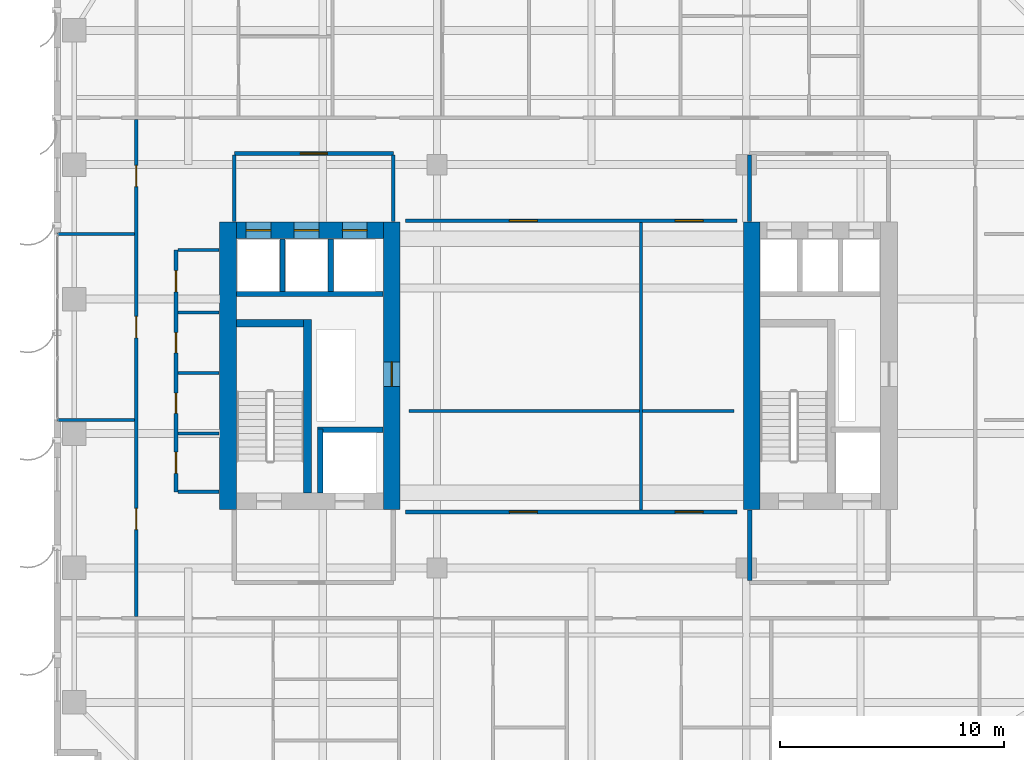
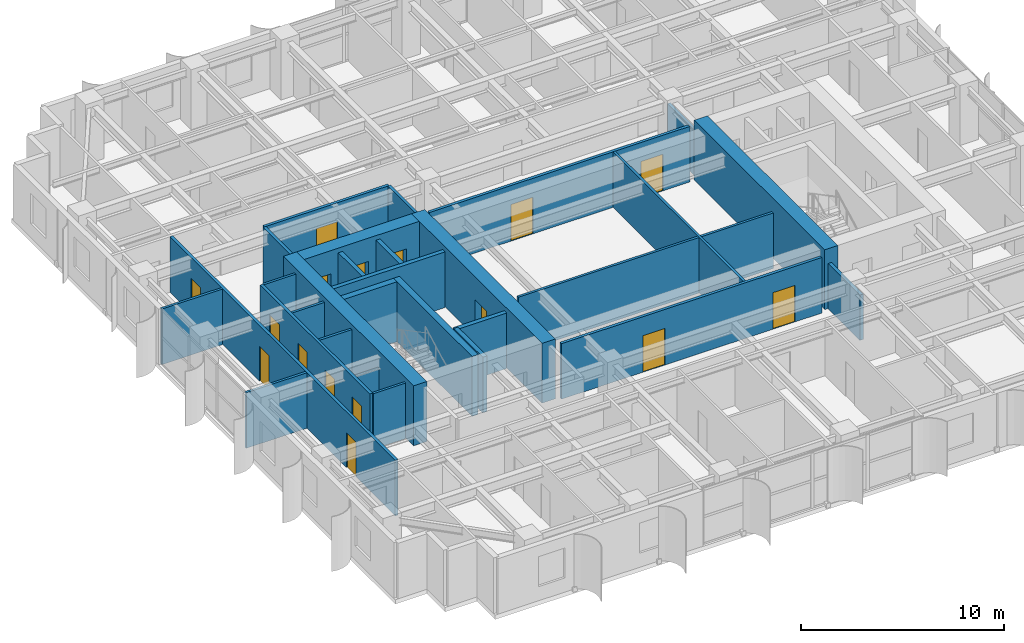
# One storey, part 13 of 19: 29 walls, 16 doors, 16 openings.
"""IFC4 building model written with IfcOpenShell, lengths in metres."""

from ifc_helpers import new_model, si_unit, direction, frame, frame_2d, origin, place, context, subcontext, project, spatial, rectangle, extrude, source, transform, mapped, material, layer, layer_set, type_object, element, fill, save


model = new_model("IFC4")

# Units and contexts
model_context = context("Model", 3, precision=1e-05, world=origin(), true_north=direction((0.0, 1.0)))
body_context = subcontext(model_context, "Body", "Model", "MODEL_VIEW")
ifc_project = project(units=[si_unit("LENGTHUNIT", "METRE"), si_unit("AREAUNIT", "SQUARE_METRE"), si_unit("VOLUMEUNIT", "CUBIC_METRE"), si_unit("PLANEANGLEUNIT", "RADIAN"), si_unit("MASSUNIT", "GRAM", prefix="KILO")], contexts=[model_context])

# Site, building, storey
site_placement = place(None, origin())
site = spatial("IfcSite", under=ifc_project, at=site_placement, CompositionType="ELEMENT")
building_placement = place(site_placement, origin())
building = spatial("IfcBuilding", under=site, at=building_placement, Name="Khoralis Quay Care Tower", CompositionType="ELEMENT")
storey_placement = place(building_placement, frame((0.0, 0.0, 90.89990234375)))
storey = spatial("IfcBuildingStorey", under=building, at=storey_placement, Name="L23", CompositionType="ELEMENT", Elevation=90.89990234375)

# Walls
ifc_material_1 = material(Name="Gypsum plasterboard on acoustic metal stud")
ifc_layer_1 = layer(ifc_material_1, 0.199951171875)
ifc_layer_set_1 = layer_set([ifc_layer_1], Name="Gypsum plasterboard on acoustic metal stud")
wall_type_1 = type_object("IfcWallType", Name="WL-COMP-200", PredefinedType="PARTITIONING", material=ifc_layer_set_1)
wall_1_placement = place(storey_placement, frame((31.050048828125, 11.445068359375, 0.0), z_axis=(0.0, 0.0, 1.0), x_axis=(0.0, 1.0, 0.0)))
element("IfcWall", 1, at=wall_1_placement, inside=storey, type_object=wall_type_1, Name="L23 East Firefighting Lobby West Wall", PredefinedType="PARTITIONING", context=body_context, shape_type="SweptSolid", body=[
    extrude(rectangle(XDim=3.135009765625, YDim=0.199951171875, at=frame_2d((1.5673828125, 0.0))), origin(), (0.0, 0.0, 1.0), 2.72412109375),
])
ifc_material_2 = material(Name="Concrete C80/95", Category="concrete")
ifc_layer_2 = layer(ifc_material_2, 0.75)
ifc_layer_set_2 = layer_set([ifc_layer_2], Name="Concrete C80/95")
wall_type_2 = type_object("IfcWallType", Name="WL-CORE-750", PredefinedType="SHEAR", material=ifc_layer_set_2)
wall_2_placement = place(storey_placement, frame((7.77490234375, 14.60009765625, 0.0), z_axis=(0.0, 0.0, 1.0), x_axis=(0.0, 1.0, 0.0)))
element("IfcWall", 2, at=wall_2_placement, inside=storey, type_object=wall_type_2, Name="L23 WCORE West Shear Wall", PredefinedType="SHEAR", context=body_context, shape_type="SweptSolid", body=[
    extrude(rectangle(XDim=12.849853515625, YDim=0.75, at=frame_2d((6.4248046875, 0.0))), origin(), (0.0, 0.0, 1.0), 3.60009765625),
])

# Wall, opening, door
wall_3_placement = place(storey_placement, frame((15.074951171875, 14.60009765625, 0.0), z_axis=(0.0, 0.0, 1.0), x_axis=(0.0, 1.0, 0.0)))
wall_3 = element("IfcWall", 3, at=wall_3_placement, inside=storey, type_object=wall_type_2, Name="L23 WCORE East Shear Wall", PredefinedType="SHEAR", context=body_context, shape_type="SweptSolid", body=[
    extrude(rectangle(XDim=12.849853515625, YDim=0.75, at=frame_2d((6.4248046875, 0.0))), origin(), (0.0, 0.0, 1.0), 3.60009765625),
])
opening_1_placement = place(wall_3_placement, frame((5.5, 0.0, 0.0)))
opening_1 = element("IfcOpeningElement", 4, at=opening_1_placement, cuts=wall_3, Name="Opening SD1", PredefinedType="OPENING", context=body_context, shape_type="SweptSolid", body=[
    extrude(rectangle(XDim=1.10009765625, YDim=2.199951171875, at=frame_2d((0.550048828125, 1.10009765625))), frame((0.0, 0.385009765625, 0.0), z_axis=(0.0, -1.0, 0.0), x_axis=(1.0, 0.0, 0.0)), (0.0, 0.0, 1.0), 0.77001953125),
])
ifc_material_3 = material(Name="Fire-rated painted steel", Category="steel")
door_type_1 = type_object("IfcDoorType", Name="DR-STAIR-1100X2200", OperationType="NOTDEFINED", PredefinedType="DOOR", material=ifc_material_3)
shared_shape_1 = source(origin(), body_context, "Body", "SweptSolid", [
    extrude(rectangle(XDim=1.10009765625, YDim=2.199951171875, at=frame_2d((0.550048828125, 1.10009765625))), frame((0.0, 0.02490234375, 0.0), z_axis=(0.0, -1.0, 0.0), x_axis=(1.0, 0.0, 0.0)), (0.0, 0.0, 1.0), 0.050048828125),
])
door_1_placement = place(opening_1_placement, origin())
door_1 = element("IfcDoor", 5, at=door_1_placement, inside=storey, type_object=door_type_1, Name="L23 West MEP Riser Door", OperationType="SINGLE_SWING_LEFT", OverallHeight=2.199951171875, OverallWidth=1.10009765625, PredefinedType="DOOR", context=body_context, shape_type="MappedRepresentation", body=[
    mapped(shared_shape_1, transform((0.0, 0.0, 0.0), scale=1.0)),
])
fill(opening_1, door_1)

# Wall, openings, doors
wall_4_placement = place(storey_placement, frame((8.14990234375, 27.074951171875, 0.0), z_axis=(0.0, 0.0, 1.0), x_axis=(1.0, 0.0, 0.0)))
wall_4 = element("IfcWall", 6, at=wall_4_placement, inside=storey, type_object=wall_type_2, Name="L23 WCORE North Shear Wall", PredefinedType="SHEAR", context=body_context, shape_type="SweptSolid", body=[
    extrude(rectangle(XDim=6.550048828125, YDim=0.75, at=frame_2d((3.27490234375, 0.0))), origin(), (0.0, 0.0, 1.0), 3.60009765625),
])
opening_2_placement = place(wall_4_placement, frame((0.429931640625, 0.0, 0.0)))
opening_2 = element("IfcOpeningElement", 7, at=opening_2_placement, cuts=wall_4, Name="Opening LD1", PredefinedType="OPENING", context=body_context, shape_type="SweptSolid", body=[
    extrude(rectangle(XDim=1.10009765625, YDim=2.199951171875, at=frame_2d((0.550048828125, 1.10009765625))), frame((0.0, 0.385009765625, 0.0), z_axis=(0.0, -1.0, 0.0), x_axis=(1.0, 0.0, 0.0)), (0.0, 0.0, 1.0), 0.77001953125),
])
opening_3_placement = place(wall_4_placement, frame((2.570068359375, 0.0, 0.0)))
opening_3 = element("IfcOpeningElement", 8, at=opening_3_placement, cuts=wall_4, Name="Opening LD1", PredefinedType="OPENING", context=body_context, shape_type="SweptSolid", body=[
    extrude(rectangle(XDim=1.10009765625, YDim=2.199951171875, at=frame_2d((0.550048828125, 1.10009765625))), frame((0.0, 0.385009765625, 0.0), z_axis=(0.0, -1.0, 0.0), x_axis=(1.0, 0.0, 0.0)), (0.0, 0.0, 1.0), 0.77001953125),
])
opening_4_placement = place(wall_4_placement, frame((4.72998046875, 0.0, 0.0)))
opening_4 = element("IfcOpeningElement", 9, at=opening_4_placement, cuts=wall_4, Name="Opening LD1", PredefinedType="OPENING", context=body_context, shape_type="SweptSolid", body=[
    extrude(rectangle(XDim=1.10009765625, YDim=2.199951171875, at=frame_2d((0.550048828125, 1.10009765625))), frame((0.0, 0.385009765625, 0.0), z_axis=(0.0, -1.0, 0.0), x_axis=(1.0, 0.0, 0.0)), (0.0, 0.0, 1.0), 0.77001953125),
])
ifc_material_4 = material(Name="Brushed stainless steel", Category="steel")
door_type_2 = type_object("IfcDoorType", Name="DR-LIFT-1100X2200", OperationType="SLIDING_TO_LEFT", PredefinedType="DOOR", material=ifc_material_4)
shared_shape_2 = source(origin(), body_context, "Body", "SweptSolid", [
    extrude(rectangle(XDim=1.10009765625, YDim=2.199951171875, at=frame_2d((0.550048828125, 1.10009765625))), frame((0.0, 0.02490234375, 0.0), z_axis=(0.0, -1.0, 0.0), x_axis=(1.0, 0.0, 0.0)), (0.0, 0.0, 1.0), 0.050048828125),
])
door_2_placement = place(opening_2_placement, origin())
door_2 = element("IfcDoor", 10, at=door_2_placement, inside=storey, type_object=door_type_2, Name="L23 Lift PLL1 Landing Door", OperationType="SLIDING_TO_LEFT", OverallHeight=2.199951171875, OverallWidth=1.10009765625, PredefinedType="DOOR", context=body_context, shape_type="MappedRepresentation", body=[
    mapped(shared_shape_2, transform((0.0, 0.0, 0.0), scale=1.0)),
])
fill(opening_2, door_2)
door_3_placement = place(opening_3_placement, origin())
door_3 = element("IfcDoor", 11, at=door_3_placement, inside=storey, type_object=door_type_2, Name="L23 Lift PLM1 Landing Door", OperationType="SLIDING_TO_LEFT", OverallHeight=2.199951171875, OverallWidth=1.10009765625, PredefinedType="DOOR", context=body_context, shape_type="MappedRepresentation", body=[
    mapped(shared_shape_2, transform((0.0, 0.0, 0.0), scale=1.0)),
])
fill(opening_3, door_3)
door_4_placement = place(opening_4_placement, origin())
door_4 = element("IfcDoor", 12, at=door_4_placement, inside=storey, type_object=door_type_2, Name="L23 Lift PLH1 Landing Door", OperationType="SLIDING_TO_LEFT", OverallHeight=2.199951171875, OverallWidth=1.10009765625, PredefinedType="DOOR", context=body_context, shape_type="MappedRepresentation", body=[
    mapped(shared_shape_2, transform((0.0, 0.0, 0.0), scale=1.0)),
])
fill(opening_4, door_4)

# Wall
wall_5_placement = place(storey_placement, frame((31.14501953125, 14.60009765625, 0.0), z_axis=(0.0, 0.0, 1.0), x_axis=(0.0, 1.0, 0.0)))
element("IfcWall", 13, at=wall_5_placement, inside=storey, type_object=wall_type_2, Name="L23 ECORE West Shear Wall", PredefinedType="SHEAR", context=body_context, shape_type="SweptSolid", body=[
    extrude(rectangle(XDim=12.849853515625, YDim=0.75, at=frame_2d((6.4248046875, 0.0))), origin(), (0.0, 0.0, 1.0), 3.60009765625),
])

# Wall, opening, door
ifc_layer_3 = layer(ifc_material_1, 0.1650390625)
ifc_layer_set_3 = layer_set([ifc_layer_3], Name="Gypsum plasterboard on acoustic metal stud")
wall_type_3 = type_object("IfcWallType", Name="WL-CORR-165", PredefinedType="PARTITIONING", material=ifc_layer_set_3)
wall_6_placement = place(storey_placement, frame((8.050048828125, 30.5, 0.0), z_axis=(0.0, 0.0, 1.0), x_axis=(1.0, 0.0, 0.0)))
wall_6 = element("IfcWall", 14, at=wall_6_placement, inside=storey, type_object=wall_type_3, Name="L23 West Lift Lobby North Wall", PredefinedType="PARTITIONING", context=body_context, shape_type="SweptSolid", body=[
    extrude(rectangle(XDim=7.099853515625, YDim=0.1650390625, at=frame_2d((3.5498046875, 0.0))), origin(), (0.0, 0.0, 1.0), 3.340087890625),
])
opening_5_placement = place(wall_6_placement, frame((2.949951171875, 0.0, 0.0)))
opening_5 = element("IfcOpeningElement", 15, at=opening_5_placement, cuts=wall_6, Name="Opening FD1", PredefinedType="OPENING", context=body_context, shape_type="SweptSolid", body=[
    extrude(rectangle(XDim=1.199951171875, YDim=2.199951171875, at=frame_2d((0.60009765625, 1.10009765625))), frame((0.0, 0.092529296875, 0.0), z_axis=(0.0, -1.0, 0.0), x_axis=(1.0, 0.0, 0.0)), (0.0, 0.0, 1.0), 0.18505859375),
])
door_type_3 = type_object("IfcDoorType", Name="DR-FFL-1200X2200", OperationType="NOTDEFINED", PredefinedType="DOOR", material=ifc_material_3)
shared_shape_3 = source(origin(), body_context, "Body", "SweptSolid", [
    extrude(rectangle(XDim=1.199951171875, YDim=2.199951171875, at=frame_2d((0.60009765625, 1.10009765625))), frame((0.0, 0.02490234375, 0.0), z_axis=(0.0, -1.0, 0.0), x_axis=(1.0, 0.0, 0.0)), (0.0, 0.0, 1.0), 0.050048828125),
])
door_5_placement = place(opening_5_placement, origin())
door_5 = element("IfcDoor", 16, at=door_5_placement, inside=storey, type_object=door_type_3, Name="L23 West Lift Lobby Double Door", OperationType="DOUBLE_DOOR_SINGLE_SWING", OverallHeight=2.199951171875, OverallWidth=1.199951171875, PredefinedType="DOOR", context=body_context, shape_type="MappedRepresentation", body=[
    mapped(shared_shape_3, transform((0.0, 0.0, 0.0), scale=1.0)),
])
fill(opening_5, door_5)

# Walls
for number, where, z_axis, x_axis, name in (
    (17, (8.050048828125, 27.469970703125, 0.0), (0.0, 0.0, 1.0), (0.0, 1.0, 0.0), "L23 West Lift Lobby West Wall"),
    (18, (15.14990234375, 27.469970703125, 0.0), (0.0, 0.0, 1.0), (0.0, 1.0, 0.0), "L23 West Lift Lobby East Wall"),
):
    element("IfcWall", number, at=place(storey_placement, frame(where, z_axis=z_axis, x_axis=x_axis)), inside=storey, type_object=wall_type_3, Name=name, PredefinedType="PARTITIONING", context=body_context, shape_type="SweptSolid", body=[
        extrude(rectangle(XDim=2.95263671875, YDim=0.1650390625, at=frame_2d((1.476318359375, 0.0))), origin(), (0.0, 0.0, 1.0), 3.340087890625),
    ])
wall_7_placement = place(storey_placement, frame((31.050048828125, 27.469970703125, 0.0), z_axis=(0.0, 0.0, 1.0), x_axis=(0.0, 1.0, 0.0)))
element("IfcWall", 19, at=wall_7_placement, inside=storey, type_object=wall_type_3, Name="L23 East Lift Lobby West Wall", PredefinedType="PARTITIONING", context=body_context, shape_type="SweptSolid", body=[
    extrude(rectangle(XDim=2.95263671875, YDim=0.1650390625, at=frame_2d((1.476318359375, 0.0))), origin(), (0.0, 0.0, 1.0), 2.72412109375),
])

# Wall, openings, doors
wall_8_placement = place(storey_placement, frame((5.449951171875, 15.39990234375, 0.0), z_axis=(0.0, 0.0, 1.0), x_axis=(0.0, 1.0, 0.0)))
wall_8 = element("IfcWall", 20, at=wall_8_placement, inside=storey, type_object=wall_type_3, Name="L23 West Core Service Flank Wall", PredefinedType="PARTITIONING", context=body_context, shape_type="SweptSolid", body=[
    extrude(rectangle(XDim=10.800048828125, YDim=0.1650390625, at=frame_2d((5.39990234375, 0.0))), origin(), (0.0, 0.0, 1.0), 3.340087890625),
])
opening_6_placement = place(wall_8_placement, frame((0.824951171875, 0.0, 0.0)))
opening_6 = element("IfcOpeningElement", 21, at=opening_6_placement, cuts=wall_8, Name="Opening ID1", PredefinedType="OPENING", context=body_context, shape_type="SweptSolid", body=[
    extrude(rectangle(XDim=0.949951171875, YDim=2.10009765625, at=frame_2d((0.47509765625, 1.050048828125))), frame((0.0, 0.092529296875, 0.0), z_axis=(0.0, -1.0, 0.0), x_axis=(1.0, 0.0, 0.0)), (0.0, 0.0, 1.0), 0.18505859375),
])
opening_7_placement = place(wall_8_placement, frame((3.5, 0.0, 0.0)))
opening_7 = element("IfcOpeningElement", 22, at=opening_7_placement, cuts=wall_8, Name="Opening WD1", PredefinedType="OPENING", context=body_context, shape_type="SweptSolid", body=[
    extrude(rectangle(XDim=0.89990234375, YDim=2.10009765625, at=frame_2d((0.449951171875, 1.050048828125))), frame((0.0, 0.092529296875, 0.0), z_axis=(0.0, -1.0, 0.0), x_axis=(1.0, 0.0, 0.0)), (0.0, 0.0, 1.0), 0.18505859375),
])
opening_8_placement = place(wall_8_placement, frame((6.199951171875, 0.0, 0.0)))
opening_8 = element("IfcOpeningElement", 23, at=opening_8_placement, cuts=wall_8, Name="Opening WD1", PredefinedType="OPENING", context=body_context, shape_type="SweptSolid", body=[
    extrude(rectangle(XDim=0.89990234375, YDim=2.10009765625, at=frame_2d((0.449951171875, 1.050048828125))), frame((0.0, 0.092529296875, 0.0), z_axis=(0.0, -1.0, 0.0), x_axis=(1.0, 0.0, 0.0)), (0.0, 0.0, 1.0), 0.18505859375),
])
opening_9_placement = place(wall_8_placement, frame((8.925048828125, 0.0, 0.0)))
opening_9 = element("IfcOpeningElement", 24, at=opening_9_placement, cuts=wall_8, Name="Opening ID1", PredefinedType="OPENING", context=body_context, shape_type="SweptSolid", body=[
    extrude(rectangle(XDim=0.949951171875, YDim=2.10009765625, at=frame_2d((0.47509765625, 1.050048828125))), frame((0.0, 0.092529296875, 0.0), z_axis=(0.0, -1.0, 0.0), x_axis=(1.0, 0.0, 0.0)), (0.0, 0.0, 1.0), 0.18505859375),
])
ifc_material_5 = material(Name="Acoustic hardwood timber", Category="wood")
door_type_4 = type_object("IfcDoorType", Name="DR-BATH-900X2100", OperationType="NOTDEFINED", PredefinedType="DOOR", material=ifc_material_5)
shared_shape_4 = source(origin(), body_context, "Body", "SweptSolid", [
    extrude(rectangle(XDim=0.89990234375, YDim=2.10009765625, at=frame_2d((0.449951171875, 1.050048828125))), frame((0.0, 0.02490234375, 0.0), z_axis=(0.0, -1.0, 0.0), x_axis=(1.0, 0.0, 0.0)), (0.0, 0.0, 1.0), 0.050048828125),
])
door_6_placement = place(opening_7_placement, frame((0.89990234375, 0.0, 0.0), z_axis=(0.0, 0.0, 1.0), x_axis=(-1.0, 0.0, 0.0)))
door_6 = element("IfcDoor", 25, at=door_6_placement, inside=storey, type_object=door_type_4, Name="L23 Public Accessible WC Door", OperationType="SINGLE_SWING_LEFT", OverallHeight=2.10009765625, OverallWidth=0.89990234375, PredefinedType="DOOR", context=body_context, shape_type="MappedRepresentation", body=[
    mapped(shared_shape_4, transform((0.0, 0.0, 0.0), scale=1.0)),
])
fill(opening_7, door_6)
door_7_placement = place(opening_8_placement, frame((0.89990234375, 0.0, 0.0), z_axis=(0.0, 0.0, 1.0), x_axis=(-1.0, 0.0, 0.0)))
door_7 = element("IfcDoor", 26, at=door_7_placement, inside=storey, type_object=door_type_4, Name="L23 Staff Accessible WC Door", OperationType="SINGLE_SWING_RIGHT", OverallHeight=2.10009765625, OverallWidth=0.89990234375, PredefinedType="DOOR", context=body_context, shape_type="MappedRepresentation", body=[
    mapped(shared_shape_4, transform((0.0, 0.0, 0.0), scale=1.0)),
])
fill(opening_8, door_7)
door_type_5 = type_object("IfcDoorType", Name="DR-ROOM-950X2100", OperationType="NOTDEFINED", PredefinedType="DOOR", material=ifc_material_5)
shared_shape_5 = source(origin(), body_context, "Body", "SweptSolid", [
    extrude(rectangle(XDim=0.949951171875, YDim=2.10009765625, at=frame_2d((0.47509765625, 1.050048828125))), frame((0.0, 0.02490234375, 0.0), z_axis=(0.0, -1.0, 0.0), x_axis=(1.0, 0.0, 0.0)), (0.0, 0.0, 1.0), 0.050048828125),
])
door_8_placement = place(opening_6_placement, frame((0.949951171875, 0.0, 0.0), z_axis=(0.0, 0.0, 1.0), x_axis=(-1.0, 0.0, 0.0)))
door_8 = element("IfcDoor", 27, at=door_8_placement, inside=storey, type_object=door_type_5, Name="L23 Housekeeping Store Door", OperationType="SINGLE_SWING_RIGHT", OverallHeight=2.10009765625, OverallWidth=0.949951171875, PredefinedType="DOOR", context=body_context, shape_type="MappedRepresentation", body=[
    mapped(shared_shape_5, transform((0.0, 0.0, 0.0), scale=1.0)),
])
fill(opening_6, door_8)
door_9_placement = place(opening_9_placement, frame((0.949951171875, 0.0, 0.0), z_axis=(0.0, 0.0, 1.0), x_axis=(-1.0, 0.0, 0.0)))
door_9 = element("IfcDoor", 28, at=door_9_placement, inside=storey, type_object=door_type_5, Name="L23 Telecom IDF Room Door", OperationType="SINGLE_SWING_LEFT", OverallHeight=2.10009765625, OverallWidth=0.949951171875, PredefinedType="DOOR", context=body_context, shape_type="MappedRepresentation", body=[
    mapped(shared_shape_5, transform((0.0, 0.0, 0.0), scale=1.0)),
])
fill(opening_9, door_9)

wall_9_placement = place(storey_placement, frame((3.679931640625, 9.83740234375, 0.0), z_axis=(0.0, 0.0, 1.0), x_axis=(0.0, 1.0, 0.0)))
wall_9 = element("IfcWall", 29, at=wall_9_placement, inside=storey, type_object=wall_type_3, Name="L23 West Loop Corridor Wall", PredefinedType="PARTITIONING", context=body_context, shape_type="SweptSolid", body=[
    extrude(rectangle(XDim=22.18505859375, YDim=0.1650390625, at=frame_2d((11.092529296875, 0.0))), origin(), (0.0, 0.0, 1.0), 3.340087890625),
])
opening_10_placement = place(wall_9_placement, frame((3.867431640625, 0.0, 0.0)))
opening_10 = element("IfcOpeningElement", 30, at=opening_10_placement, cuts=wall_9, Name="Opening ID1", PredefinedType="OPENING", context=body_context, shape_type="SweptSolid", body=[
    extrude(rectangle(XDim=0.949951171875, YDim=2.10009765625, at=frame_2d((0.47509765625, 1.050048828125))), frame((0.0, 0.092529296875, 0.0), z_axis=(0.0, -1.0, 0.0), x_axis=(1.0, 0.0, 0.0)), (0.0, 0.0, 1.0), 0.18505859375),
])
opening_11_placement = place(wall_9_placement, frame((12.4375, 0.0, 0.0)))
opening_11 = element("IfcOpeningElement", 31, at=opening_11_placement, cuts=wall_9, Name="Opening ID1", PredefinedType="OPENING", context=body_context, shape_type="SweptSolid", body=[
    extrude(rectangle(XDim=0.949951171875, YDim=2.10009765625, at=frame_2d((0.47509765625, 1.050048828125))), frame((0.0, 0.092529296875, 0.0), z_axis=(0.0, -1.0, 0.0), x_axis=(1.0, 0.0, 0.0)), (0.0, 0.0, 1.0), 0.18505859375),
])
opening_12_placement = place(wall_9_placement, frame((19.1875, 0.0, 0.0)))
opening_12 = element("IfcOpeningElement", 32, at=opening_12_placement, cuts=wall_9, Name="Opening ID1", PredefinedType="OPENING", context=body_context, shape_type="SweptSolid", body=[
    extrude(rectangle(XDim=0.949951171875, YDim=2.10009765625, at=frame_2d((0.47509765625, 1.050048828125))), frame((0.0, 0.092529296875, 0.0), z_axis=(0.0, -1.0, 0.0), x_axis=(1.0, 0.0, 0.0)), (0.0, 0.0, 1.0), 0.18505859375),
])
door_10_placement = place(opening_10_placement, origin())
door_10 = element("IfcDoor", 33, at=door_10_placement, inside=storey, type_object=door_type_5, Name="L23 Therapy Consultation Room Door", OperationType="SINGLE_SWING_LEFT", OverallHeight=2.10009765625, OverallWidth=0.949951171875, PredefinedType="DOOR", context=body_context, shape_type="MappedRepresentation", body=[
    mapped(shared_shape_5, transform((0.0, 0.0, 0.0), scale=1.0)),
])
fill(opening_10, door_10)
door_11_placement = place(opening_11_placement, origin())
door_11 = element("IfcDoor", 34, at=door_11_placement, inside=storey, type_object=door_type_5, Name="L23 Assisted Activity Lounge Door", OperationType="SINGLE_SWING_RIGHT", OverallHeight=2.10009765625, OverallWidth=0.949951171875, PredefinedType="DOOR", context=body_context, shape_type="MappedRepresentation", body=[
    mapped(shared_shape_5, transform((0.0, 0.0, 0.0), scale=1.0)),
])
fill(opening_11, door_11)
door_12_placement = place(opening_12_placement, origin())
door_12 = element("IfcDoor", 35, at=door_12_placement, inside=storey, type_object=door_type_5, Name="L23 Nurse Charting Office Door", OperationType="SINGLE_SWING_LEFT", OverallHeight=2.10009765625, OverallWidth=0.949951171875, PredefinedType="DOOR", context=body_context, shape_type="MappedRepresentation", body=[
    mapped(shared_shape_5, transform((0.0, 0.0, 0.0), scale=1.0)),
])
fill(opening_12, door_12)

wall_10_placement = place(storey_placement, frame((15.699951171875, 14.5, 0.0), z_axis=(0.0, 0.0, 1.0), x_axis=(1.0, 0.0, 0.0)))
wall_10 = element("IfcWall", 36, at=wall_10_placement, inside=storey, type_object=wall_type_3, Name="L23 Central Clinical South Wall", PredefinedType="PARTITIONING", context=body_context, shape_type="SweptSolid", body=[
    extrude(rectangle(XDim=14.800048828125, YDim=0.1650390625, at=frame_2d((7.39990234375, 0.0))), origin(), (0.0, 0.0, 1.0), 3.340087890625),
])
opening_13_placement = place(wall_10_placement, frame((4.625, 0.0, 0.0)))
opening_13 = element("IfcOpeningElement", 37, at=opening_13_placement, cuts=wall_10, Name="Opening CD1", PredefinedType="OPENING", context=body_context, shape_type="SweptSolid", body=[
    extrude(rectangle(XDim=1.25, YDim=2.199951171875, at=frame_2d((0.625, 1.10009765625))), frame((0.0, 0.092529296875, 0.0), z_axis=(0.0, -1.0, 0.0), x_axis=(1.0, 0.0, 0.0)), (0.0, 0.0, 1.0), 0.18505859375),
])
opening_14_placement = place(wall_10_placement, frame((12.02490234375, 0.0, 0.0)))
opening_14 = element("IfcOpeningElement", 38, at=opening_14_placement, cuts=wall_10, Name="Opening CD1", PredefinedType="OPENING", context=body_context, shape_type="SweptSolid", body=[
    extrude(rectangle(XDim=1.25, YDim=2.199951171875, at=frame_2d((0.625, 1.10009765625))), frame((0.0, 0.092529296875, 0.0), z_axis=(0.0, -1.0, 0.0), x_axis=(1.0, 0.0, 0.0)), (0.0, 0.0, 1.0), 0.18505859375),
])
door_type_6 = type_object("IfcDoorType", Name="DR-CARE-1250X2200", OperationType="NOTDEFINED", PredefinedType="DOOR", material=ifc_material_5)
shared_shape_6 = source(origin(), body_context, "Body", "SweptSolid", [
    extrude(rectangle(XDim=1.25, YDim=2.199951171875, at=frame_2d((0.625, 1.10009765625))), frame((0.0, 0.02490234375, 0.0), z_axis=(0.0, -1.0, 0.0), x_axis=(1.0, 0.0, 0.0)), (0.0, 0.0, 1.0), 0.050048828125),
])
door_13_placement = place(opening_13_placement, origin())
door_13 = element("IfcDoor", 39, at=door_13_placement, inside=storey, type_object=door_type_6, Name="L23 Nurse Station Door", OperationType="SINGLE_SWING_LEFT", OverallHeight=2.199951171875, OverallWidth=1.25, PredefinedType="DOOR", context=body_context, shape_type="MappedRepresentation", body=[
    mapped(shared_shape_6, transform((0.0, 0.0, 0.0), scale=1.0)),
])
fill(opening_13, door_13)
door_14_placement = place(opening_14_placement, origin())
door_14 = element("IfcDoor", 40, at=door_14_placement, inside=storey, type_object=door_type_6, Name="L23 Treatment Clinic Door", OperationType="SINGLE_SWING_RIGHT", OverallHeight=2.199951171875, OverallWidth=1.25, PredefinedType="DOOR", context=body_context, shape_type="MappedRepresentation", body=[
    mapped(shared_shape_6, transform((0.0, 0.0, 0.0), scale=1.0)),
])
fill(opening_14, door_14)

wall_11_placement = place(storey_placement, frame((15.699951171875, 27.5, 0.0), z_axis=(0.0, 0.0, 1.0), x_axis=(1.0, 0.0, 0.0)))
wall_11 = element("IfcWall", 41, at=wall_11_placement, inside=storey, type_object=wall_type_3, Name="L23 Central Clinical North Wall", PredefinedType="PARTITIONING", context=body_context, shape_type="SweptSolid", body=[
    extrude(rectangle(XDim=14.800048828125, YDim=0.1650390625, at=frame_2d((7.39990234375, 0.0))), origin(), (0.0, 0.0, 1.0), 3.340087890625),
])
opening_15_placement = place(wall_11_placement, frame((4.625, 0.0, 0.0)))
opening_15 = element("IfcOpeningElement", 42, at=opening_15_placement, cuts=wall_11, Name="Opening CD1", PredefinedType="OPENING", context=body_context, shape_type="SweptSolid", body=[
    extrude(rectangle(XDim=1.25, YDim=2.199951171875, at=frame_2d((0.625, 1.10009765625))), frame((0.0, 0.092529296875, 0.0), z_axis=(0.0, -1.0, 0.0), x_axis=(1.0, 0.0, 0.0)), (0.0, 0.0, 1.0), 0.18505859375),
])
opening_16_placement = place(wall_11_placement, frame((12.02490234375, 0.0, 0.0)))
opening_16 = element("IfcOpeningElement", 43, at=opening_16_placement, cuts=wall_11, Name="Opening CD1", PredefinedType="OPENING", context=body_context, shape_type="SweptSolid", body=[
    extrude(rectangle(XDim=1.25, YDim=2.199951171875, at=frame_2d((0.625, 1.10009765625))), frame((0.0, 0.092529296875, 0.0), z_axis=(0.0, -1.0, 0.0), x_axis=(1.0, 0.0, 0.0)), (0.0, 0.0, 1.0), 0.18505859375),
])
door_15_placement = place(opening_15_placement, frame((1.25, 0.0, 0.0), z_axis=(0.0, 0.0, 1.0), x_axis=(-1.0, 0.0, 0.0)))
door_15 = element("IfcDoor", 44, at=door_15_placement, inside=storey, type_object=door_type_6, Name="L23 Library Lounge Door", OperationType="SINGLE_SWING_LEFT", OverallHeight=2.199951171875, OverallWidth=1.25, PredefinedType="DOOR", context=body_context, shape_type="MappedRepresentation", body=[
    mapped(shared_shape_6, transform((0.0, 0.0, 0.0), scale=1.0)),
])
fill(opening_15, door_15)
door_16_placement = place(opening_16_placement, frame((1.25, 0.0, 0.0), z_axis=(0.0, 0.0, 1.0), x_axis=(-1.0, 0.0, 0.0)))
door_16 = element("IfcDoor", 45, at=door_16_placement, inside=storey, type_object=door_type_6, Name="L23 Occupational Therapy Door", OperationType="SINGLE_SWING_RIGHT", OverallHeight=2.199951171875, OverallWidth=1.25, PredefinedType="DOOR", context=body_context, shape_type="MappedRepresentation", body=[
    mapped(shared_shape_6, transform((0.0, 0.0, 0.0), scale=1.0)),
])
fill(opening_16, door_16)

# Walls
ifc_material_6 = material(Name="Moisture-resistant gypsum and ceramic tile")
ifc_layer_4 = layer(ifc_material_6, 0.280029296875)
ifc_layer_set_4 = layer_set([ifc_layer_4], Name="Moisture-resistant gypsum and ceramic tile")
wall_type_4 = type_object("IfcWallType", Name="WL-PLUMB-280", PredefinedType="PLUMBINGWALL", material=ifc_layer_set_4)
wall_12_placement = place(storey_placement, frame((5.527587890625, 18.0, 0.0), z_axis=(0.0, 0.0, 1.0), x_axis=(1.0, 0.0, 0.0)))
element("IfcWall", 46, at=wall_12_placement, inside=storey, type_object=wall_type_4, Name="L23 West Flank Divider 1", PredefinedType="PLUMBINGWALL", context=body_context, shape_type="SweptSolid", body=[
    extrude(rectangle(XDim=1.83251953125, YDim=0.139892578125, at=frame_2d((0.916259765625, 0.0))), origin(), (0.0, 0.0, 1.0), 2.64501953125),
])
wall_13_placement = place(storey_placement, frame((5.527587890625, 20.699951171875, 0.0), z_axis=(0.0, 0.0, 1.0), x_axis=(1.0, 0.0, 0.0)))
element("IfcWall", 47, at=wall_13_placement, inside=storey, type_object=wall_type_4, Name="L23 West Flank Divider 2", PredefinedType="PLUMBINGWALL", context=body_context, shape_type="SweptSolid", body=[
    extrude(rectangle(XDim=1.83251953125, YDim=0.139892578125, at=frame_2d((0.916259765625, 0.0))), origin(), (0.0, 0.0, 1.0), 3.340087890625),
])
ifc_material_7 = material(Name="Concrete C40/50", Category="concrete")
ifc_layer_5 = layer(ifc_material_7, 0.35009765625)
ifc_layer_set_5 = layer_set([ifc_layer_5], Name="Concrete C40/50")
wall_type_5 = type_object("IfcWallType", Name="WL-SC-CORE-350", PredefinedType="SHEAR", material=ifc_layer_set_5)
wall_14_placement = place(storey_placement, frame((11.324951171875, 15.35009765625, 0.0), z_axis=(0.0, 0.0, 1.0), x_axis=(0.0, 1.0, 0.0)))
element("IfcWall", 48, at=wall_14_placement, inside=storey, type_object=wall_type_5, Name="L23 Stair ST-T1 Shear Baffle Wall East", PredefinedType="SHEAR", context=body_context, shape_type="SweptSolid", body=[
    extrude(rectangle(XDim=7.75, YDim=0.35009765625, at=frame_2d((3.875, 0.0))), origin(), (0.0, 0.0, 1.0), 3.60009765625),
])
wall_15_placement = place(storey_placement, frame((8.14990234375, 22.925048828125, 0.0), z_axis=(0.0, 0.0, 1.0), x_axis=(1.0, 0.0, 0.0)))
element("IfcWall", 49, at=wall_15_placement, inside=storey, type_object=wall_type_5, Name="L23 Stair ST-T1 Shear Baffle Wall North", PredefinedType="SHEAR", context=body_context, shape_type="SweptSolid", body=[
    extrude(rectangle(XDim=3.0, YDim=0.35009765625, at=frame_2d((1.5, 0.0))), origin(), (0.0, 0.0, 1.0), 3.60009765625),
])
ifc_layer_6 = layer(ifc_material_1, 0.239990234375)
ifc_layer_set_6 = layer_set([ifc_layer_6], Name="Gypsum plasterboard on acoustic metal stud")
wall_type_6 = type_object("IfcWallType", Name="WL-SHAFT-240", PredefinedType="PARTITIONING", material=ifc_layer_set_6)
wall_16_placement = place(storey_placement, frame((11.8798828125, 15.35009765625, 0.0), z_axis=(0.0, 0.0, 1.0), x_axis=(0.0, 1.0, 0.0)))
element("IfcWall", 50, at=wall_16_placement, inside=storey, type_object=wall_type_6, Name="L23 FFL-1 Shaft Wall West", PredefinedType="PARTITIONING", context=body_context, shape_type="SweptSolid", body=[
    extrude(rectangle(XDim=2.849853515625, YDim=0.239990234375, at=frame_2d((1.4248046875, 0.0))), origin(), (0.0, 0.0, 1.0), 3.340087890625),
])
wall_17_placement = place(storey_placement, frame((11.760009765625, 18.169921875, 0.0), z_axis=(0.0, 0.0, 1.0), x_axis=(1.0, 0.0, 0.0)))
element("IfcWall", 51, at=wall_17_placement, inside=storey, type_object=wall_type_6, Name="L23 FFL-1 Shaft Wall North", PredefinedType="PARTITIONING", context=body_context, shape_type="SweptSolid", body=[
    extrude(rectangle(XDim=2.919921875, YDim=0.239990234375, at=frame_2d((1.4599609375, 0.0))), origin(), (0.0, 0.0, 1.0), 3.340087890625),
])
wall_18_placement = place(storey_placement, frame((8.14990234375, 24.22998046875, 0.0), z_axis=(0.0, 0.0, 1.0), x_axis=(1.0, 0.0, 0.0)))
element("IfcWall", 52, at=wall_18_placement, inside=storey, type_object=wall_type_6, Name="L23 West Passenger Shaft South Wall", PredefinedType="PARTITIONING", context=body_context, shape_type="SweptSolid", body=[
    extrude(rectangle(XDim=6.530029296875, YDim=0.239990234375, at=frame_2d((3.26513671875, 0.0))), origin(), (0.0, 0.0, 1.0), 3.340087890625),
])
for number, where, z_axis, x_axis, name in (
    (53, (10.199951171875, 24.344970703125, 0.0), (0.0, 0.0, 1.0), (0.0, 1.0, 0.0), "L23 West Shaft Divider 1"),
    (54, (12.35009765625, 24.344970703125, 0.0), (0.0, 0.0, 1.0), (0.0, 1.0, 0.0), "L23 West Shaft Divider 2"),
):
    element("IfcWall", number, at=place(storey_placement, frame(where, z_axis=z_axis, x_axis=x_axis)), inside=storey, type_object=wall_type_6, Name=name, PredefinedType="PARTITIONING", context=body_context, shape_type="SweptSolid", body=[
        extrude(rectangle(XDim=2.3349609375, YDim=0.239990234375, at=frame_2d((1.16748046875, 0.0))), origin(), (0.0, 0.0, 1.0), 3.340087890625),
    ])
ifc_layer_7 = layer(ifc_material_1, 0.139892578125)
ifc_layer_set_7 = layer_set([ifc_layer_7], Name="Gypsum plasterboard on acoustic metal stud")
wall_type_7 = type_object("IfcWallType", Name="WL-UNIT-140", PredefinedType="PARTITIONING", material=ifc_layer_set_7)
for number, where, z_axis, x_axis, name in (
    (55, (5.527587890625, 15.39990234375, 0.0), (0.0, 0.0, 1.0), (1.0, 0.0, 0.0), "L23 West Flank South Cap"),
    (56, (5.527587890625, 26.199951171875, 0.0), (0.0, 0.0, 1.0), (1.0, 0.0, 0.0), "L23 West Flank North Cap"),
    (57, (5.527587890625, 23.39990234375, 0.0), (0.0, 0.0, 1.0), (1.0, 0.0, 0.0), "L23 West Flank Divider 3"),
):
    element("IfcWall", number, at=place(storey_placement, frame(where, z_axis=z_axis, x_axis=x_axis)), inside=storey, type_object=wall_type_7, Name=name, PredefinedType="PARTITIONING", context=body_context, shape_type="SweptSolid", body=[
        extrude(rectangle(XDim=1.83251953125, YDim=0.139892578125, at=frame_2d((0.916259765625, 0.0))), origin(), (0.0, 0.0, 1.0), 3.340087890625),
    ])
for number, where, z_axis, x_axis, name in (
    (58, (0.14501953125, 18.60009765625, 0.0), (0.0, 0.0, 1.0), (1.0, 0.0, 0.0), "L23 WW Divider 1"),
    (59, (0.14501953125, 26.89990234375, 0.0), (0.0, 0.0, 1.0), (1.0, 0.0, 0.0), "L23 WW Divider 2"),
):
    element("IfcWall", number, at=place(storey_placement, frame(where, z_axis=z_axis, x_axis=x_axis)), inside=storey, type_object=wall_type_7, Name=name, PredefinedType="PARTITIONING", context=body_context, shape_type="SweptSolid", body=[
        extrude(rectangle(XDim=3.45751953125, YDim=0.139892578125, at=frame_2d((1.728759765625, 0.0))), origin(), (0.0, 0.0, 1.0), 3.340087890625),
    ])
wall_19_placement = place(storey_placement, frame((26.199951171875, 14.577392578125, 0.0), z_axis=(0.0, 0.0, 1.0), x_axis=(0.0, 1.0, 0.0)))
element("IfcWall", 60, at=wall_19_placement, inside=storey, type_object=wall_type_7, Name="L23 Central Split V", PredefinedType="PARTITIONING", context=body_context, shape_type="SweptSolid", body=[
    extrude(rectangle(XDim=12.84521484375, YDim=0.139892578125, at=frame_2d((6.422607421875, 0.0))), origin(), (0.0, 0.0, 1.0), 3.340087890625),
])
wall_20_placement = place(storey_placement, frame((15.85009765625, 19.0, 0.0), z_axis=(0.0, 0.0, 1.0), x_axis=(1.0, 0.0, 0.0)))
element("IfcWall", 61, at=wall_20_placement, inside=storey, type_object=wall_type_7, Name="L23 Central Split H", PredefinedType="PARTITIONING", context=body_context, shape_type="SweptSolid", body=[
    extrude(rectangle(XDim=14.5, YDim=0.139892578125, at=frame_2d((7.25, 0.0))), origin(), (0.0, 0.0, 1.0), 3.340087890625),
])

save(model, "model.ifc")
